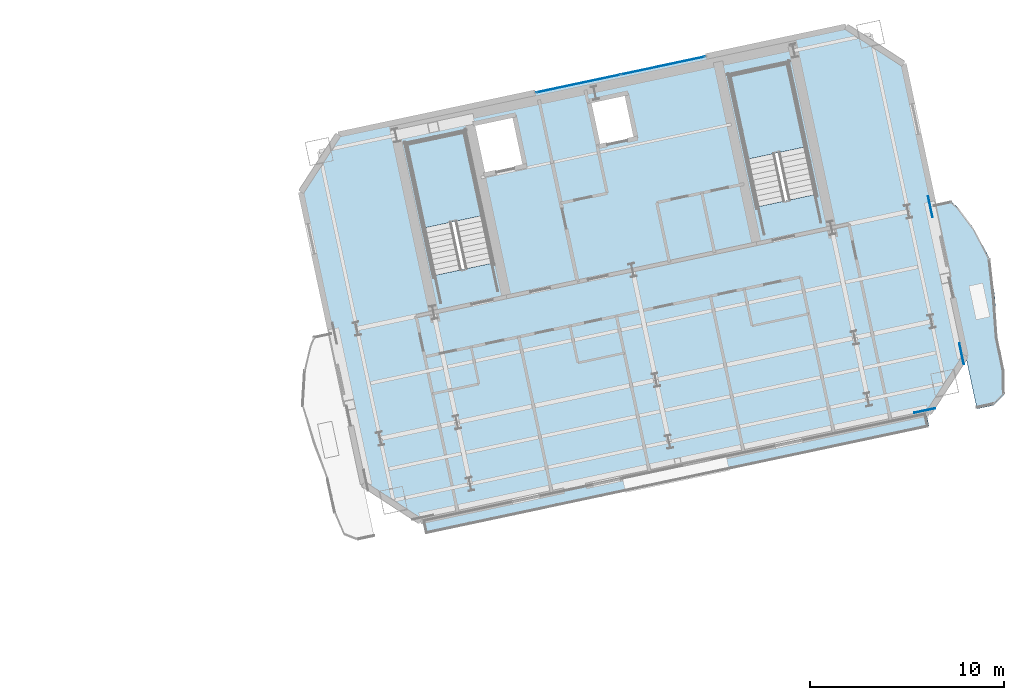
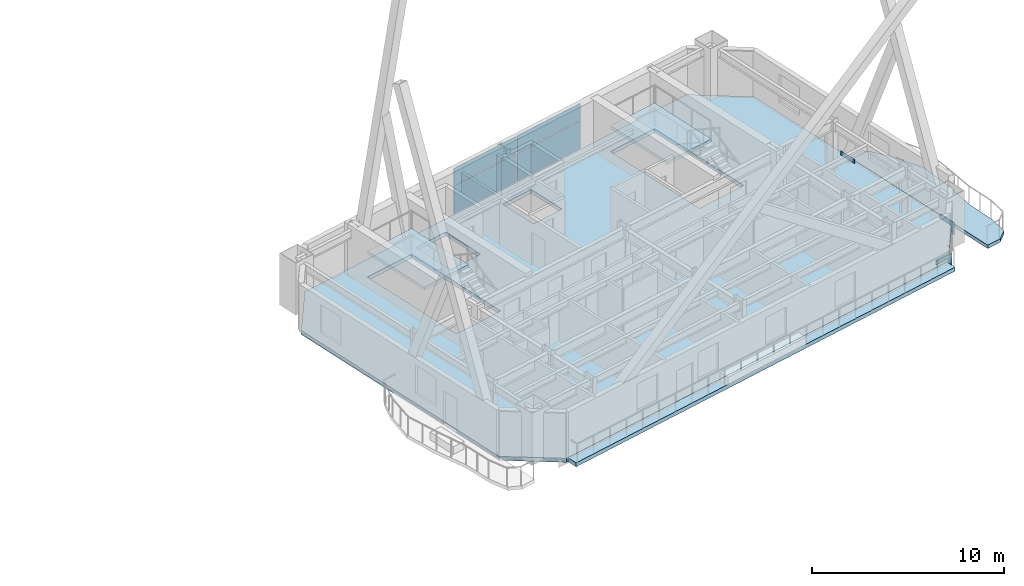
# One storey, part 9 of 19: 7 plates, 5 slabs, 3 elements without a shape of their own.
"""IFC4 building model written with IfcOpenShell, lengths in metres."""

from ifc_helpers import new_model, si_unit, direction, frame, origin, origin_2d, place, context, subcontext, project, spatial, polyline, rectangle, outline, extrude, material, layer, layer_set, type_object, element, aggregate, save


model = new_model("IFC4")

# Units and contexts
model_context = context("Model", 3, precision=1e-05, world=origin(), true_north=direction((0.0, 1.0)))
body_context = subcontext(model_context, "Body", "Model", "MODEL_VIEW")
ifc_project = project(units=[si_unit("LENGTHUNIT", "METRE"), si_unit("AREAUNIT", "SQUARE_METRE"), si_unit("VOLUMEUNIT", "CUBIC_METRE"), si_unit("PLANEANGLEUNIT", "RADIAN"), si_unit("MASSUNIT", "GRAM", prefix="KILO")], contexts=[model_context])

# Site, building, storey
site_placement = place(None, origin())
site = spatial("IfcSite", under=ifc_project, at=site_placement, CompositionType="ELEMENT")
building_placement = place(site_placement, origin())
building = spatial("IfcBuilding", under=site, at=building_placement, Name="Haevon Station Towers", CompositionType="ELEMENT")
storey_placement = place(building_placement, frame((0.0, 0.0, 156.0)))
storey = spatial("IfcBuildingStorey", under=building, at=storey_placement, Name="L42", CompositionType="ELEMENT", Elevation=156.0)

# Curtain wall, plates
ifc_material_1 = material(Name="Anodised aluminium and Low-E double glazing", Category="aluminium")
ifc_layer_1 = layer(ifc_material_1, 0.179931640625)
ifc_layer_set_1 = layer_set([ifc_layer_1], Name="Anodised aluminium and Low-E double glazing")
curtain_wall_type = type_object("IfcCurtainWallType", Name="CW-SYS5", PredefinedType="NOTDEFINED", material=ifc_layer_set_1)
curtain_wall_placement = place(storey_placement, origin())
curtain_wall = element("IfcCurtainWall", 1, at=curtain_wall_placement, inside=storey, type_object=curtain_wall_type, Name="L42 Curtain Wall CW-T2-L42-N", PredefinedType="NOTDEFINED")
ifc_material_2 = material(Name="Low-E double glazing", Category="glass")
ifc_layer_2 = layer(ifc_material_2, 0.028076171875)
ifc_layer_set_2 = layer_set([ifc_layer_2], Name="Low-E double glazing")
plate_type_1 = type_object("IfcPlateType", Name="CWP-GLZ28", PredefinedType="CURTAIN_PANEL", material=ifc_layer_set_2)
plate_1_placement = place(storey_placement, frame((106.224853515625, 49.254150390625, 0.06005859375), z_axis=(0.0, 0.0, 1.0), x_axis=(0.978147581095, 0.207911783211, 0.0)))
plate_1 = element("IfcPlate", 2, at=plate_1_placement, type_object=plate_type_1, Name="CW-SYS5 panel 1.1", PredefinedType="CURTAIN_PANEL", context=body_context, shape_type="SweptSolid", body=[
    extrude(rectangle(XDim=4.409912109375, YDim=0.028076171875, at=origin_2d()), origin(), (0.0, 0.0, 1.0), 1.77001953125),
])
plate_2_placement = place(storey_placement, frame((106.224853515625, 49.254150390625, 1.89013671875), z_axis=(0.0, 0.0, 1.0), x_axis=(0.978147581095, 0.207911783211, 0.0)))
plate_2 = element("IfcPlate", 3, at=plate_2_placement, type_object=plate_type_1, Name="CW-SYS5 panel 1.2", PredefinedType="CURTAIN_PANEL", context=body_context, shape_type="SweptSolid", body=[
    extrude(rectangle(XDim=4.409912109375, YDim=0.028076171875, at=origin_2d()), origin(), (0.0, 0.0, 1.0), 1.050048828125),
])
plate_3_placement = place(storey_placement, frame((110.59716796875, 50.18359375, 0.06005859375), z_axis=(0.0, 0.0, 1.0), x_axis=(0.978147581095, 0.207911783211, 0.0)))
plate_3 = element("IfcPlate", 4, at=plate_3_placement, type_object=plate_type_1, Name="CW-SYS5 panel 2.1", PredefinedType="CURTAIN_PANEL", context=body_context, shape_type="SweptSolid", body=[
    extrude(rectangle(XDim=4.409912109375, YDim=0.028076171875, at=origin_2d()), origin(), (0.0, 0.0, 1.0), 1.77001953125),
])
plate_4_placement = place(storey_placement, frame((110.59716796875, 50.18359375, 1.89013671875), z_axis=(0.0, 0.0, 1.0), x_axis=(0.978147581095, 0.207911783211, 0.0)))
plate_4 = element("IfcPlate", 5, at=plate_4_placement, type_object=plate_type_1, Name="CW-SYS5 panel 2.2", PredefinedType="CURTAIN_PANEL", context=body_context, shape_type="SweptSolid", body=[
    extrude(rectangle(XDim=4.409912109375, YDim=0.028076171875, at=origin_2d()), origin(), (0.0, 0.0, 1.0), 1.050048828125),
])
aggregate(curtain_wall, [plate_1, plate_2, plate_3, plate_4])

# Plates
ifc_material_3 = material(Name="PL-SPL1", Category="steel")
ifc_layer_3 = layer(ifc_material_3, 0.031982421875)
ifc_layer_set_3 = layer_set([ifc_layer_3], Name="PL-SPL1")
plate_type_2 = type_object("IfcPlateType", Name="PL-SPL1", PredefinedType="USERDEFINED", material=ifc_layer_set_3)
for number, where, z_axis, x_axis, name in (
    (6, (124.1103515625, 32.373779296875, -0.4951171875), (0.0, 0.0, 1.0), (0.978147600734, 0.207911690818, 0.0), "PL-T2SPL-T06-S-2"),
    (7, (126.0126953125, 35.303466796875, -0.4951171875), (0.0, 0.0, 1.0), (-0.207911690818, 0.978147600734, 0.0), "PL-T2SPL-T06-E-1"),
    (8, (124.3994140625, 42.893798828125, -0.4951171875), (0.0, 0.0, 1.0), (-0.207911690818, 0.978147600734, 0.0), "PL-T2SPL-T06-E-2"),
):
    element("IfcPlate", number, at=place(storey_placement, frame(where, z_axis=z_axis, x_axis=x_axis)), inside=storey, type_object=plate_type_2, Name=name, ObjectType="SPLICE_PLATE", PredefinedType="USERDEFINED", context=body_context, shape_type="SweptSolid", body=[
        extrude(rectangle(XDim=1.10009765625, YDim=0.031982421875, at=origin_2d()), origin(), (0.0, 0.0, 1.0), 0.75),
    ])

# Slab
ifc_material_4 = material(Name="Concrete C40/50", Category="concrete")
ifc_layer_4 = layer(ifc_material_4, 0.219970703125)
ifc_layer_set_4 = layer_set([ifc_layer_4], Name="Concrete C40/50")
slab_type_1 = type_object("IfcSlabType", Name="SL-BALC220", PredefinedType="FLOOR", material=ifc_layer_set_4)
slab_1_placement = place(storey_placement, frame((0.0, 0.0, -0.219970703125)))
element("IfcSlab", 9, at=slab_1_placement, inside=storey, type_object=slab_type_1, Name="Tower 2 L42 East SCALLOPED BALCONY", PredefinedType="FLOOR", context=body_context, shape_type="SweptSolid", body=[
    extrude(outline(polyline([(126.80615234375, 32.461181640625), (127.668701171875, 32.64453125), (128.198486328125, 33.177490234375), (128.182373046875, 34.370849609375), (127.839111328125, 36.0888671875), (127.7373046875, 38.179931640625), (127.454345703125, 40.232421875), (126.594482421875, 41.840576171875), (125.805419921875, 42.86962890625), (125.42333984375, 43.208740234375), (124.560546875, 43.025146484375), (126.80615234375, 32.461181640625)])), origin(), (0.0, 0.0, 1.0), 0.219970703125),
])

# Stair, slab
stair_type = type_object("IfcStairType", Name="STR-DL1450", PredefinedType="USERDEFINED", material=ifc_material_4)
stair_1_placement = place(storey_placement, origin())
stair_1 = element("IfcStair", 10, at=stair_1_placement, inside=storey, type_object=stair_type, Name="L42 Escape Stair ST3", ObjectType="TWO_RETURN_STAIR", PredefinedType="USERDEFINED")
ifc_layer_5 = layer(ifc_material_4, 0.199951171875)
ifc_layer_set_5 = layer_set([ifc_layer_5], Name="Concrete C40/50")
slab_type_2 = type_object("IfcSlabType", Name="SL-LND200", PredefinedType="LANDING", material=ifc_layer_set_5)
slab_2_placement = place(storey_placement, frame((0.0, 0.0, 1.449951171875)))
slab_2 = element("IfcSlab", 11, at=slab_2_placement, type_object=slab_type_2, Name="L42 ST3 Half Landing 1", PredefinedType="LANDING", context=body_context, shape_type="SweptSolid", body=[
    extrude(outline(polyline([(101.2880859375, 42.44287109375), (100.36572265625, 46.781982421875), (97.33349609375, 46.137451171875), (98.255859375, 41.79833984375), (101.2880859375, 42.44287109375)])), origin(), (0.0, 0.0, 1.0), 0.199951171875),
])
aggregate(stair_1, [slab_2])

stair_2_placement = place(storey_placement, origin())
stair_2 = element("IfcStair", 12, at=stair_2_placement, inside=storey, type_object=stair_type, Name="L42 Escape Stair ST4", ObjectType="TWO_RETURN_STAIR", PredefinedType="USERDEFINED")
slab_3_placement = place(storey_placement, frame((0.0, 0.0, 1.449951171875)))
slab_3 = element("IfcSlab", 13, at=slab_3_placement, type_object=slab_type_2, Name="L42 ST4 Half Landing 1", PredefinedType="LANDING", context=body_context, shape_type="SweptSolid", body=[
    extrude(outline(polyline([(117.975341796875, 45.989990234375), (117.052978515625, 50.328857421875), (114.020751953125, 49.684326171875), (114.943115234375, 45.345458984375), (117.975341796875, 45.989990234375)])), origin(), (0.0, 0.0, 1.0), 0.199951171875),
])
aggregate(stair_2, [slab_3])

# Slabs
ifc_layer_6 = layer(ifc_material_4, 0.25)
ifc_layer_set_6 = layer_set([ifc_layer_6], Name="Concrete C40/50")
slab_type_3 = type_object("IfcSlabType", Name="SL-TERR250", PredefinedType="FLOOR", material=ifc_layer_set_6)
slab_4_placement = place(storey_placement, frame((0.0, 0.0, -0.25)))
element("IfcSlab", 14, at=slab_4_placement, inside=storey, type_object=slab_type_3, Name="Tower 2 L42 Sky Garden Terrace", PredefinedType="FLOOR", context=body_context, shape_type="SweptSolid", body=[
    extrude(outline(polyline([(98.31103515625, 26.0517578125), (124.32958984375, 31.582275390625), (124.19775390625, 32.203369140625), (98.178955078125, 26.6728515625), (98.31103515625, 26.0517578125)])), origin(), (0.0, 0.0, 1.0), 0.25),
])
ifc_layer_7 = layer(ifc_material_4, 0.25)
ifc_layer_set_7 = layer_set([ifc_layer_7], Name="Concrete C40/50")
slab_type_4 = type_object("IfcSlabType", Name="SL-TW250", PredefinedType="FLOOR", material=ifc_layer_set_7)
slab_5_placement = place(storey_placement, frame((0.0, 0.0, -0.25)))
element("IfcSlab", 15, at=slab_5_placement, inside=storey, type_object=slab_type_4, Name="SL-T2-L42", PredefinedType="FLOOR", context=body_context, shape_type="SweptSolid", body=[
    extrude(outline(polyline([(98.080078125, 26.656982421875), (124.29443359375, 32.22900390625), (126.219970703125, 35.194091796875), (123.01611328125, 50.267333984375), (120.051025390625, 52.19287109375), (93.836669921875, 46.620849609375), (91.9111328125, 43.65576171875), (95.114990234375, 28.58251953125), (98.080078125, 26.656982421875)]), holes=[polyline([(101.8095703125, 39.98974609375), (100.36572265625, 46.781982421875), (97.33349609375, 46.137451171875), (98.77734375, 39.34521484375), (101.8095703125, 39.98974609375)]), polyline([(118.496826171875, 43.53662109375), (117.052978515625, 50.328857421875), (114.020751953125, 49.684326171875), (115.464599609375, 42.89208984375), (118.496826171875, 43.53662109375)]), polyline([(101.43212890625, 44.554931640625), (103.486328125, 44.99169921875), (102.9248046875, 47.632568359375), (100.870849609375, 47.196044921875), (101.43212890625, 44.554931640625)]), polyline([(107.259521484375, 45.998046875), (109.2158203125, 46.413818359375), (108.716796875, 48.761474609375), (106.760498046875, 48.345703125), (107.259521484375, 45.998046875)])]), origin(), (0.0, 0.0, 1.0), 0.25),
])

save(model, "model.ifc")
